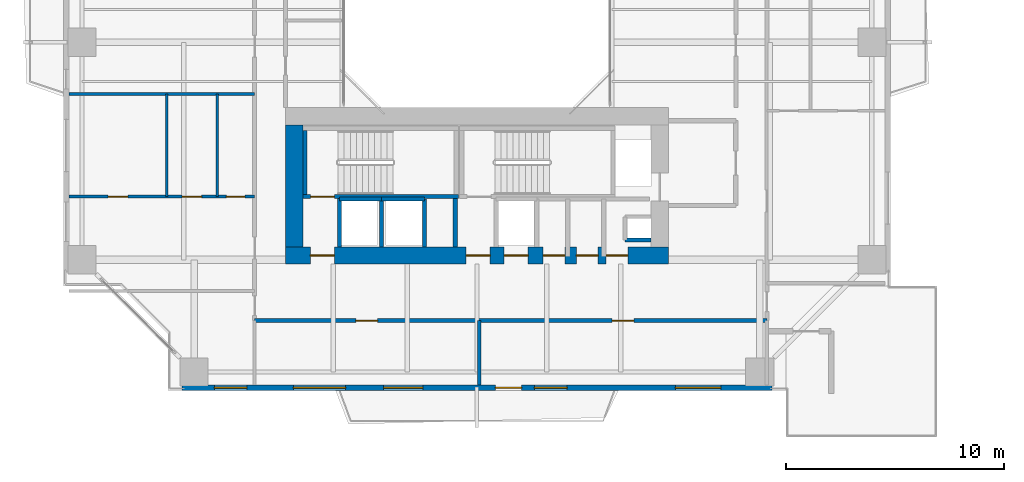
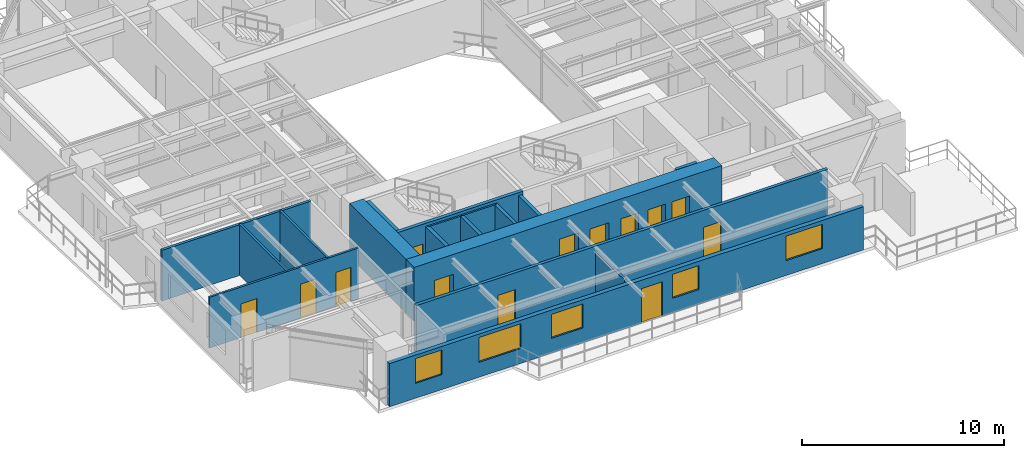
# One storey, part 13 of 23: 18 walls, 13 doors, 5 windows, 18 openings.
"""IFC4 building model written with IfcOpenShell, lengths in metres."""

from ifc_helpers import new_model, si_unit, direction, frame, frame_2d, origin, place, context, subcontext, project, spatial, rectangle, extrude, source, transform, mapped, material, layer, layer_set, type_object, element, fill, save


model = new_model("IFC4")

# Units and contexts
model_context = context("Model", 3, precision=1e-05, world=origin(), true_north=direction((0.0, 1.0)))
body_context = subcontext(model_context, "Body", "Model", "MODEL_VIEW")
ifc_project = project(units=[si_unit("LENGTHUNIT", "METRE"), si_unit("AREAUNIT", "SQUARE_METRE"), si_unit("VOLUMEUNIT", "CUBIC_METRE"), si_unit("PLANEANGLEUNIT", "RADIAN"), si_unit("MASSUNIT", "GRAM", prefix="KILO"), si_unit("THERMODYNAMICTEMPERATUREUNIT", "KELVIN"), si_unit("POWERUNIT", "WATT")], contexts=[model_context])

# Site, building, storey
site_placement = place(None, origin())
site = spatial("IfcSite", under=ifc_project, at=site_placement, CompositionType="ELEMENT")
building_placement = place(site_placement, origin())
building = spatial("IfcBuilding", under=site, at=building_placement, Name="Qiaomeng Ring Towers", CompositionType="ELEMENT")
storey_placement = place(building_placement, frame((0.0, 0.0, 73.0)))
storey = spatial("IfcBuildingStorey", under=building, at=storey_placement, Name="L20", CompositionType="ELEMENT", Elevation=73.0)

# Wall, openings, windows, door
ifc_material_1 = material(Name="Precast concrete C40", Category="concrete")
ifc_layer_1 = layer(ifc_material_1, 0.25, Name="Precast concrete C40")
ifc_layer_set_1 = layer_set([ifc_layer_1], Name="Precast concrete C40")
wall_type_1 = type_object("IfcWallType", Name="ARC-WL-EW1", PredefinedType="STANDARD", material=ifc_layer_set_1)
wall_1_placement = place(storey_placement, frame((5.449951171875, 4.125, 0.0), z_axis=(0.0, 0.0, 1.0), x_axis=(1.0, 0.0, 0.0)))
wall_1 = element("IfcWall", 1, at=wall_1_placement, inside=storey, type_object=wall_type_1, Name="L20 Tower 1 S Exterior Wall", PredefinedType="STANDARD", context=body_context, shape_type="SweptSolid", body=[
    extrude(rectangle(XDim=27.10009765625, YDim=0.25, at=frame_2d((13.550048828125, 0.0))), origin(), (0.0, 0.0, 1.0), 2.610107421875),
])
opening_1_placement = place(wall_1_placement, frame((14.39990234375, 0.0, 0.0)))
opening_1 = element("IfcOpeningElement", 2, at=opening_1_placement, cuts=wall_1, Name="Opening BD1", PredefinedType="OPENING", context=body_context, shape_type="SweptSolid", body=[
    extrude(rectangle(XDim=1.199951171875, YDim=2.10009765625, at=frame_2d((0.60009765625, 1.050048828125))), frame((0.0, 0.135009765625, 0.0), z_axis=(0.0, -1.0, 0.0), x_axis=(1.0, 0.0, 0.0)), (0.0, 0.0, 1.0), 0.27001953125),
])
opening_2_placement = place(wall_1_placement, frame((1.47998046875, 0.0, 0.89990234375)))
opening_2 = element("IfcOpeningElement", 3, at=opening_2_placement, cuts=wall_1, Name="Opening WN2", PredefinedType="OPENING", context=body_context, shape_type="SweptSolid", body=[
    extrude(rectangle(XDim=1.5, YDim=1.5, at=frame_2d((0.75, 0.75))), frame((0.0, 0.135009765625, 0.0), z_axis=(0.0, -1.0, 0.0), x_axis=(1.0, 0.0, 0.0)), (0.0, 0.0, 1.0), 0.27001953125),
])
opening_3_placement = place(wall_1_placement, frame((9.262939453125, 0.0, 0.89990234375)))
opening_3 = element("IfcOpeningElement", 4, at=opening_3_placement, cuts=wall_1, Name="Opening WN1", PredefinedType="OPENING", context=body_context, shape_type="SweptSolid", body=[
    extrude(rectangle(XDim=1.800048828125, YDim=1.449951171875, at=frame_2d((0.89990234375, 0.72509765625))), frame((0.0, 0.135009765625, 0.0), z_axis=(0.0, -1.0, 0.0), x_axis=(1.0, 0.0, 0.0)), (0.0, 0.0, 1.0), 0.27001953125),
])
opening_4_placement = place(wall_1_placement, frame((16.18798828125, 0.0, 0.89990234375)))
opening_4 = element("IfcOpeningElement", 5, at=opening_4_placement, cuts=wall_1, Name="Opening WN2", PredefinedType="OPENING", context=body_context, shape_type="SweptSolid", body=[
    extrude(rectangle(XDim=1.5, YDim=1.449951171875, at=frame_2d((0.75, 0.72509765625))), frame((0.0, 0.135009765625, 0.0), z_axis=(0.0, -1.0, 0.0), x_axis=(1.0, 0.0, 0.0)), (0.0, 0.0, 1.0), 0.27001953125),
])
opening_5_placement = place(wall_1_placement, frame((22.6630859375, 0.0, 0.89990234375)))
opening_5 = element("IfcOpeningElement", 6, at=opening_5_placement, cuts=wall_1, Name="Opening WN4", PredefinedType="OPENING", context=body_context, shape_type="SweptSolid", body=[
    extrude(rectangle(XDim=2.10009765625, YDim=1.47998046875, at=frame_2d((1.050048828125, 0.739990234375))), frame((0.0, 0.135009765625, 0.0), z_axis=(0.0, -1.0, 0.0), x_axis=(1.0, 0.0, 0.0)), (0.0, 0.0, 1.0), 0.27001953125),
])
opening_6_placement = place(wall_1_placement, frame((5.114013671875, 0.0, 0.89990234375)))
opening_6 = element("IfcOpeningElement", 7, at=opening_6_placement, cuts=wall_1, Name="Opening WN6", PredefinedType="OPENING", context=body_context, shape_type="SweptSolid", body=[
    extrude(rectangle(XDim=2.39990234375, YDim=1.5, at=frame_2d((1.199951171875, 0.75))), frame((0.0, 0.135009765625, 0.0), z_axis=(0.0, -1.0, 0.0), x_axis=(1.0, 0.0, 0.0)), (0.0, 0.0, 1.0), 0.27001953125),
])
ifc_material_2 = material(Name="Low-E dark-grey laminated double glazing", Category="glass")
window_type_1 = type_object("IfcWindowType", Name="ARC-WN-2", PartitioningType="DOUBLE_PANEL_VERTICAL", PredefinedType="WINDOW", material=ifc_material_2)
shared_shape_1 = source(origin(), body_context, "Body", "SweptSolid", [
    extrude(rectangle(XDim=1.5, YDim=1.449951171875, at=frame_2d((0.75, 0.72509765625))), frame((0.0, 0.030029296875, 0.0), z_axis=(0.0, -1.0, 0.0), x_axis=(1.0, 0.0, 0.0)), (0.0, 0.0, 1.0), 0.06005859375),
])
window_1_placement = place(opening_4_placement, origin())
window_1 = element("IfcWindow", 8, at=window_1_placement, inside=storey, type_object=window_type_1, Name="L20 Exterior Window WN2", OverallHeight=1.449951171875, OverallWidth=1.5, PartitioningType="DOUBLE_PANEL_VERTICAL", PredefinedType="WINDOW", context=body_context, shape_type="MappedRepresentation", body=[
    mapped(shared_shape_1, transform((0.0, 0.0, 0.0), x_axis=(1.0, 0.0, 0.0), y_axis=(0.0, 1.0, 0.0), z_axis=(0.0, 0.0, 1.0), scale=1.0)),
])
fill(opening_4, window_1)
window_type_2 = type_object("IfcWindowType", Name="ARC-WN-4", PartitioningType="TRIPLE_PANEL_VERTICAL", PredefinedType="WINDOW", material=ifc_material_2)
shared_shape_2 = source(origin(), body_context, "Body", "SweptSolid", [
    extrude(rectangle(XDim=2.10009765625, YDim=1.47998046875, at=frame_2d((1.050048828125, 0.739990234375))), frame((0.0, 0.030029296875, 0.0), z_axis=(0.0, -1.0, 0.0), x_axis=(1.0, 0.0, 0.0)), (0.0, 0.0, 1.0), 0.06005859375),
])
window_2_placement = place(opening_5_placement, origin())
window_2 = element("IfcWindow", 9, at=window_2_placement, inside=storey, type_object=window_type_2, Name="L20 Exterior Window WN4", OverallHeight=1.47998046875, OverallWidth=2.10009765625, PartitioningType="TRIPLE_PANEL_VERTICAL", PredefinedType="WINDOW", context=body_context, shape_type="MappedRepresentation", body=[
    mapped(shared_shape_2, transform((0.0, 0.0, 0.0), x_axis=(1.0, 0.0, 0.0), y_axis=(0.0, 1.0, 0.0), z_axis=(0.0, 0.0, 1.0), scale=1.0)),
])
fill(opening_5, window_2)
window_type_3 = type_object("IfcWindowType", Name="ARC-WN-1", PartitioningType="DOUBLE_PANEL_VERTICAL", PredefinedType="WINDOW", material=ifc_material_2)
shared_shape_3 = source(origin(), body_context, "Body", "SweptSolid", [
    extrude(rectangle(XDim=1.800048828125, YDim=1.449951171875, at=frame_2d((0.89990234375, 0.72509765625))), frame((0.0, 0.030029296875, 0.0), z_axis=(0.0, -1.0, 0.0), x_axis=(1.0, 0.0, 0.0)), (0.0, 0.0, 1.0), 0.06005859375),
])
window_3_placement = place(opening_3_placement, origin())
window_3 = element("IfcWindow", 10, at=window_3_placement, inside=storey, type_object=window_type_3, Name="L20 Exterior Window WN1", OverallHeight=1.449951171875, OverallWidth=1.800048828125, PartitioningType="DOUBLE_PANEL_VERTICAL", PredefinedType="WINDOW", context=body_context, shape_type="MappedRepresentation", body=[
    mapped(shared_shape_3, transform((0.0, 0.0, 0.0), x_axis=(1.0, 0.0, 0.0), y_axis=(0.0, 1.0, 0.0), z_axis=(0.0, 0.0, 1.0), scale=1.0)),
])
fill(opening_3, window_3)
door_type_1 = type_object("IfcDoorType", Name="ARC-DR-BD1", OperationType="NOTDEFINED", PredefinedType="DOOR", material=ifc_material_2)
shared_shape_4 = source(origin(), body_context, "Body", "SweptSolid", [
    extrude(rectangle(XDim=1.199951171875, YDim=2.10009765625, at=frame_2d((0.60009765625, 1.050048828125))), frame((0.0, 0.02490234375, 0.0), z_axis=(0.0, -1.0, 0.0), x_axis=(1.0, 0.0, 0.0)), (0.0, 0.0, 1.0), 0.050048828125),
])
door_1_placement = place(opening_1_placement, frame((1.199951171875, 0.0, 0.0), z_axis=(0.0, 0.0, 1.0), x_axis=(-1.0, 0.0, 0.0)))
door_1 = element("IfcDoor", 11, at=door_1_placement, inside=storey, type_object=door_type_1, Name="L20 S Balcony Glazed Door", OperationType="SINGLE_SWING_LEFT", OverallHeight=2.10009765625, OverallWidth=1.199951171875, PredefinedType="DOOR", context=body_context, shape_type="MappedRepresentation", body=[
    mapped(shared_shape_4, transform((0.0, 0.0, 0.0), x_axis=(1.0, 0.0, 0.0), y_axis=(0.0, 1.0, 0.0), z_axis=(0.0, 0.0, 1.0), scale=1.0)),
])
fill(opening_1, door_1)
shared_shape_5 = source(origin(), body_context, "Body", "SweptSolid", [
    extrude(rectangle(XDim=1.5, YDim=1.5, at=frame_2d((0.75, 0.75))), frame((0.0, 0.030029296875, 0.0), z_axis=(0.0, -1.0, 0.0), x_axis=(1.0, 0.0, 0.0)), (0.0, 0.0, 1.0), 0.06005859375),
])
window_4_placement = place(opening_2_placement, origin())
window_4 = element("IfcWindow", 12, at=window_4_placement, inside=storey, type_object=window_type_1, Name="L20 Exterior Window WN6", OverallHeight=1.5, OverallWidth=1.5, PartitioningType="TRIPLE_PANEL_VERTICAL", PredefinedType="WINDOW", context=body_context, shape_type="MappedRepresentation", body=[
    mapped(shared_shape_5, transform((0.0, 0.0, 0.0), x_axis=(1.0, 0.0, 0.0), y_axis=(0.0, 1.0, 0.0), z_axis=(0.0, 0.0, 1.0), scale=1.0)),
])
fill(opening_2, window_4)
window_type_4 = type_object("IfcWindowType", Name="ARC-WN-6", PartitioningType="TRIPLE_PANEL_VERTICAL", PredefinedType="WINDOW", material=ifc_material_2)
shared_shape_6 = source(origin(), body_context, "Body", "SweptSolid", [
    extrude(rectangle(XDim=2.39990234375, YDim=1.5, at=frame_2d((1.199951171875, 0.75))), frame((0.0, 0.030029296875, 0.0), z_axis=(0.0, -1.0, 0.0), x_axis=(1.0, 0.0, 0.0)), (0.0, 0.0, 1.0), 0.06005859375),
])
window_5_placement = place(opening_6_placement, origin())
window_5 = element("IfcWindow", 13, at=window_5_placement, inside=storey, type_object=window_type_4, Name="L20 Exterior Window WN6", OverallHeight=1.5, OverallWidth=2.39990234375, PartitioningType="TRIPLE_PANEL_VERTICAL", PredefinedType="WINDOW", context=body_context, shape_type="MappedRepresentation", body=[
    mapped(shared_shape_6, transform((0.0, 0.0, 0.0), x_axis=(1.0, 0.0, 0.0), y_axis=(0.0, 1.0, 0.0), z_axis=(0.0, 0.0, 1.0), scale=1.0)),
])
fill(opening_6, window_5)

# Walls
ifc_material_3 = material(Name="Autoclaved aerated concrete block", Category="concrete")
ifc_layer_2 = layer(ifc_material_3, 0.199951171875, Name="Autoclaved aerated concrete block")
ifc_layer_set_2 = layer_set([ifc_layer_2], Name="Autoclaved aerated concrete block")
wall_type_2 = type_object("IfcWallType", Name="ARC-WL-PW1", PredefinedType="PARTITIONING", material=ifc_layer_set_2)
for number, where, z_axis, x_axis, name in (
    (14, (12.679931640625, 10.60009765625, 0.0), (0.0, 0.0, 1.0), (0.0, 1.0, 0.0), "L20 Interior Wall PW1"),
    (15, (18.0, 10.60009765625, 0.0), (0.0, 0.0, 1.0), (0.0, 1.0, 0.0), "L20 Interior Wall PW1"),
):
    element("IfcWall", number, at=place(storey_placement, frame(where, z_axis=z_axis, x_axis=x_axis)), inside=storey, type_object=wall_type_2, Name=name, PredefinedType="PARTITIONING", context=body_context, shape_type="SweptSolid", body=[
        extrude(rectangle(XDim=2.2099609375, YDim=0.199951171875, at=frame_2d((1.10498046875, 0.0))), origin(), (0.0, 0.0, 1.0), 3.070068359375),
    ])

# Wall, openings, doors
ifc_layer_3 = layer(ifc_material_3, 0.179931640625, Name="Autoclaved aerated concrete block")
ifc_layer_set_3 = layer_set([ifc_layer_3], Name="Autoclaved aerated concrete block")
wall_type_3 = type_object("IfcWallType", Name="ARC-WL-PW2", PredefinedType="PARTITIONING", material=ifc_layer_set_3)
wall_2_placement = place(storey_placement, frame((8.780029296875, 7.2099609375, 0.0), z_axis=(0.0, 0.0, 1.0), x_axis=(1.0, 0.0, 0.0)))
wall_2 = element("IfcWall", 16, at=wall_2_placement, inside=storey, type_object=wall_type_3, Name="L20 Interior Wall PW2", PredefinedType="PARTITIONING", context=body_context, shape_type="SweptSolid", body=[
    extrude(rectangle(XDim=23.5400390625, YDim=0.179931640625, at=frame_2d((11.77001953125, 0.0))), origin(), (0.0, 0.0, 1.0), 3.070068359375),
])
opening_7_placement = place(wall_2_placement, frame((4.659912109375, 0.0, 0.0)))
opening_7 = element("IfcOpeningElement", 17, at=opening_7_placement, cuts=wall_2, Name="Opening FD4", PredefinedType="OPENING", context=body_context, shape_type="SweptSolid", body=[
    extrude(rectangle(XDim=1.0, YDim=2.050048828125, at=frame_2d((0.5, 1.02490234375))), frame((0.0, 0.099853515625, 0.0), z_axis=(0.0, -1.0, 0.0), x_axis=(1.0, 0.0, 0.0)), (0.0, 0.0, 1.0), 0.199951171875),
])
opening_8_placement = place(wall_2_placement, frame((16.429931640625, 0.0, 0.0)))
opening_8 = element("IfcOpeningElement", 18, at=opening_8_placement, cuts=wall_2, Name="Opening FD4", PredefinedType="OPENING", context=body_context, shape_type="SweptSolid", body=[
    extrude(rectangle(XDim=1.0, YDim=2.050048828125, at=frame_2d((0.5, 1.02490234375))), frame((0.0, 0.099853515625, 0.0), z_axis=(0.0, -1.0, 0.0), x_axis=(1.0, 0.0, 0.0)), (0.0, 0.0, 1.0), 0.199951171875),
])
ifc_material_4 = material(Name="Engineered fire-rated oak timber", Category="wood")
door_type_2 = type_object("IfcDoorType", Name="ARC-DR-FD4", OperationType="NOTDEFINED", PredefinedType="DOOR", material=ifc_material_4)
shared_shape_7 = source(origin(), body_context, "Body", "SweptSolid", [
    extrude(rectangle(XDim=1.0, YDim=2.050048828125, at=frame_2d((0.5, 1.02490234375))), frame((0.0, 0.02490234375, 0.0), z_axis=(0.0, -1.0, 0.0), x_axis=(1.0, 0.0, 0.0)), (0.0, 0.0, 1.0), 0.050048828125),
])
door_2_placement = place(opening_7_placement, origin())
door_2 = element("IfcDoor", 19, at=door_2_placement, inside=storey, type_object=door_type_2, Name="L20 Door FD4", OperationType="SINGLE_SWING_LEFT", OverallHeight=2.050048828125, OverallWidth=1.0, PredefinedType="DOOR", context=body_context, shape_type="MappedRepresentation", body=[
    mapped(shared_shape_7, transform((0.0, 0.0, 0.0), x_axis=(1.0, 0.0, 0.0), y_axis=(0.0, 1.0, 0.0), z_axis=(0.0, 0.0, 1.0), scale=1.0)),
])
fill(opening_7, door_2)
door_3_placement = place(opening_8_placement, origin())
door_3 = element("IfcDoor", 20, at=door_3_placement, inside=storey, type_object=door_type_2, Name="L20 Door FD4", OperationType="SINGLE_SWING_RIGHT", OverallHeight=2.050048828125, OverallWidth=1.0, PredefinedType="DOOR", context=body_context, shape_type="MappedRepresentation", body=[
    mapped(shared_shape_7, transform((0.0, 0.0, 0.0), x_axis=(1.0, 0.0, 0.0), y_axis=(0.0, 1.0, 0.0), z_axis=(0.0, 0.0, 1.0), scale=1.0)),
])
fill(opening_8, door_3)

# Walls
ifc_material_5 = material(Name="Gypsum fireboard steel-stud partition", Category="steel")
ifc_layer_4 = layer(ifc_material_5, 0.14990234375, Name="Gypsum fireboard steel-stud partition")
ifc_layer_set_4 = layer_set([ifc_layer_4], Name="Gypsum fireboard steel-stud partition")
wall_type_4 = type_object("IfcWallType", Name="ARC-WL-PW3", PredefinedType="PARTITIONING", material=ifc_layer_set_4)
wall_3_placement = place(storey_placement, frame((19.10009765625, 4.25, 0.0), z_axis=(0.0, 0.0, 1.0), x_axis=(0.0, 1.0, 0.0)))
element("IfcWall", 21, at=wall_3_placement, inside=storey, type_object=wall_type_4, Name="L20 Interior Wall PW3", PredefinedType="PARTITIONING", context=body_context, shape_type="SweptSolid", body=[
    extrude(rectangle(XDim=2.9599609375, YDim=0.14990234375, at=frame_2d((1.47998046875, 0.0))), origin(), (0.0, 0.0, 1.0), 2.77099609375),
])
wall_4_placement = place(storey_placement, frame((0.25, 17.6201171875, 0.0), z_axis=(0.0, 0.0, 1.0), x_axis=(1.0, 0.0, 0.0)))
element("IfcWall", 22, at=wall_4_placement, inside=storey, type_object=wall_type_4, Name="L20 Interior Wall PW3", PredefinedType="PARTITIONING", context=body_context, shape_type="SweptSolid", body=[
    extrude(rectangle(XDim=8.530029296875, YDim=0.14990234375, at=frame_2d((4.26513671875, 0.0))), origin(), (0.0, 0.0, 1.0), 3.070068359375),
])

# Wall, openings, doors
ifc_material_6 = material(Name="Moisture-resistant gypsum steel-stud partition", Category="steel")
ifc_layer_5 = layer(ifc_material_6, 0.1201171875, Name="Moisture-resistant gypsum steel-stud partition")
ifc_layer_set_5 = layer_set([ifc_layer_5], Name="Moisture-resistant gypsum steel-stud partition")
wall_type_5 = type_object("IfcWallType", Name="ARC-WL-PW4", PredefinedType="PLUMBINGWALL", material=ifc_layer_set_5)
wall_5_placement = place(storey_placement, frame((0.25, 12.909912109375, 0.0), z_axis=(0.0, 0.0, 1.0), x_axis=(1.0, 0.0, 0.0)))
wall_5 = element("IfcWall", 23, at=wall_5_placement, inside=storey, type_object=wall_type_5, Name="L20 Interior Wall PW4", PredefinedType="PLUMBINGWALL", context=body_context, shape_type="SweptSolid", body=[
    extrude(rectangle(XDim=8.530029296875, YDim=0.1201171875, at=frame_2d((4.26513671875, 0.0))), origin(), (0.0, 0.0, 1.0), 3.070068359375),
])
opening_9_placement = place(wall_5_placement, frame((1.804931640625, 0.0, 0.0)))
opening_9 = element("IfcOpeningElement", 24, at=opening_9_placement, cuts=wall_5, Name="Opening ID1", PredefinedType="OPENING", context=body_context, shape_type="SweptSolid", body=[
    extrude(rectangle(XDim=0.89990234375, YDim=2.050048828125, at=frame_2d((0.449951171875, 1.02490234375))), frame((0.0, 0.070068359375, 0.0), z_axis=(0.0, -1.0, 0.0), x_axis=(1.0, 0.0, 0.0)), (0.0, 0.0, 1.0), 0.14013671875),
])
opening_10_placement = place(wall_5_placement, frame((5.199951171875, 0.0, 0.0)))
opening_10 = element("IfcOpeningElement", 25, at=opening_10_placement, cuts=wall_5, Name="Opening ID1", PredefinedType="OPENING", context=body_context, shape_type="SweptSolid", body=[
    extrude(rectangle(XDim=0.89990234375, YDim=2.050048828125, at=frame_2d((0.449951171875, 1.02490234375))), frame((0.0, 0.070068359375, 0.0), z_axis=(0.0, -1.0, 0.0), x_axis=(1.0, 0.0, 0.0)), (0.0, 0.0, 1.0), 0.14013671875),
])
opening_11_placement = place(wall_5_placement, frame((7.235107421875, 0.0, 0.0)))
opening_11 = element("IfcOpeningElement", 26, at=opening_11_placement, cuts=wall_5, Name="Opening ID2", PredefinedType="OPENING", context=body_context, shape_type="SweptSolid", body=[
    extrude(rectangle(XDim=0.85009765625, YDim=2.050048828125, at=frame_2d((0.425048828125, 1.02490234375))), frame((0.0, 0.070068359375, 0.0), z_axis=(0.0, -1.0, 0.0), x_axis=(1.0, 0.0, 0.0)), (0.0, 0.0, 1.0), 0.14013671875),
])
ifc_material_7 = material(Name="Moisture-resistant engineered timber", Category="wood")
door_type_3 = type_object("IfcDoorType", Name="ARC-DR-ID2", OperationType="NOTDEFINED", PredefinedType="DOOR", material=ifc_material_7)
shared_shape_8 = source(origin(), body_context, "Body", "SweptSolid", [
    extrude(rectangle(XDim=0.85009765625, YDim=2.050048828125, at=frame_2d((0.425048828125, 1.02490234375))), frame((0.0, 0.02490234375, 0.0), z_axis=(0.0, -1.0, 0.0), x_axis=(1.0, 0.0, 0.0)), (0.0, 0.0, 1.0), 0.050048828125),
])
door_4_placement = place(opening_11_placement, origin())
door_4 = element("IfcDoor", 27, at=door_4_placement, inside=storey, type_object=door_type_3, Name="L20 Door ID2", OperationType="SINGLE_SWING_LEFT", OverallHeight=2.050048828125, OverallWidth=0.85009765625, PredefinedType="DOOR", context=body_context, shape_type="MappedRepresentation", body=[
    mapped(shared_shape_8, transform((0.0, 0.0, 0.0), x_axis=(1.0, 0.0, 0.0), y_axis=(0.0, 1.0, 0.0), z_axis=(0.0, 0.0, 1.0), scale=1.0)),
])
fill(opening_11, door_4)
ifc_material_8 = material(Name="Engineered oak timber", Category="wood")
door_type_4 = type_object("IfcDoorType", Name="ARC-DR-ID1", OperationType="NOTDEFINED", PredefinedType="DOOR", material=ifc_material_8)
shared_shape_9 = source(origin(), body_context, "Body", "SweptSolid", [
    extrude(rectangle(XDim=0.89990234375, YDim=2.050048828125, at=frame_2d((0.449951171875, 1.02490234375))), frame((0.0, 0.02490234375, 0.0), z_axis=(0.0, -1.0, 0.0), x_axis=(1.0, 0.0, 0.0)), (0.0, 0.0, 1.0), 0.050048828125),
])
door_5_placement = place(opening_9_placement, origin())
door_5 = element("IfcDoor", 28, at=door_5_placement, inside=storey, type_object=door_type_4, Name="L20 Door ID1", OperationType="SINGLE_SWING_LEFT", OverallHeight=2.050048828125, OverallWidth=0.89990234375, PredefinedType="DOOR", context=body_context, shape_type="MappedRepresentation", body=[
    mapped(shared_shape_9, transform((0.0, 0.0, 0.0), x_axis=(1.0, 0.0, 0.0), y_axis=(0.0, 1.0, 0.0), z_axis=(0.0, 0.0, 1.0), scale=1.0)),
])
fill(opening_9, door_5)
door_6_placement = place(opening_10_placement, origin())
door_6 = element("IfcDoor", 29, at=door_6_placement, inside=storey, type_object=door_type_4, Name="L20 Door ID1", OperationType="SINGLE_SWING_RIGHT", OverallHeight=2.050048828125, OverallWidth=0.89990234375, PredefinedType="DOOR", context=body_context, shape_type="MappedRepresentation", body=[
    mapped(shared_shape_9, transform((0.0, 0.0, 0.0), x_axis=(1.0, 0.0, 0.0), y_axis=(0.0, 1.0, 0.0), z_axis=(0.0, 0.0, 1.0), scale=1.0)),
])
fill(opening_10, door_6)

# Walls
for number, where, z_axis, x_axis, name in (
    (30, (4.739990234375, 12.909912109375, 0.0), (0.0, 0.0, 1.0), (0.0, 1.0, 0.0), "L20 Interior Wall PW4"),
    (31, (7.06005859375, 12.909912109375, 0.0), (0.0, 0.0, 1.0), (0.0, 1.0, 0.0), "L20 Interior Wall PW4"),
):
    element("IfcWall", number, at=place(storey_placement, frame(where, z_axis=z_axis, x_axis=x_axis)), inside=storey, type_object=wall_type_5, Name=name, PredefinedType="PLUMBINGWALL", context=body_context, shape_type="SweptSolid", body=[
        extrude(rectangle(XDim=4.710205078125, YDim=0.1201171875, at=frame_2d((2.35498046875, 0.0))), origin(), (0.0, 0.0, 1.0), 3.070068359375),
    ])
ifc_material_9 = material(Name="Concrete C40", Category="concrete")
ifc_layer_6 = layer(ifc_material_9, 0.199951171875, Name="Concrete C40")
ifc_layer_set_6 = layer_set([ifc_layer_6], Name="Concrete C40")
wall_type_6 = type_object("IfcWallType", Name="STR-WL-STSHAFT", PredefinedType="SHEAR", material=ifc_layer_set_6)
wall_6_placement = place(storey_placement, frame((12.679931640625, 12.800048828125, 0.0), z_axis=(0.0, 0.0, 1.0), x_axis=(1.0, 0.0, 0.0)))
element("IfcWall", 32, at=wall_6_placement, inside=storey, type_object=wall_type_6, Name="L20 Lift LP6 Shaft Back Wall", PredefinedType="SHEAR", context=body_context, shape_type="SweptSolid", body=[
    extrude(rectangle(XDim=1.940185546875, YDim=0.179931640625, at=frame_2d((0.97021484375, 0.0))), origin(), (0.0, 0.0, 1.0), 3.070068359375),
])
wall_7_placement = place(storey_placement, frame((14.6201171875, 10.60009765625, 0.0), z_axis=(0.0, 0.0, 1.0), x_axis=(0.0, 1.0, 0.0)))
element("IfcWall", 33, at=wall_7_placement, inside=storey, type_object=wall_type_6, Name="L20 Lift LP6-LP4 Shaft Divider Wall", PredefinedType="SHEAR", context=body_context, shape_type="SweptSolid", body=[
    extrude(rectangle(XDim=2.199951171875, YDim=0.179931640625, at=frame_2d((1.10009765625, 0.0))), origin(), (0.0, 0.0, 1.0), 3.070068359375),
])
wall_8_placement = place(storey_placement, frame((25.800048828125, 10.919921875, 0.0), z_axis=(0.0, 0.0, 1.0), x_axis=(1.0, 0.0, 0.0)))
element("IfcWall", 34, at=wall_8_placement, inside=storey, type_object=wall_type_6, Name="L20 Riser RSR1 South Shaft Wall S", PredefinedType="SHEAR", context=body_context, shape_type="SweptSolid", body=[
    extrude(rectangle(XDim=1.199951171875, YDim=0.179931640625, at=frame_2d((0.60009765625, 0.0))), origin(), (0.0, 0.0, 1.0), 3.070068359375),
])
wall_9_placement = place(storey_placement, frame((14.6201171875, 12.800048828125, 0.0), z_axis=(0.0, 0.0, 1.0), x_axis=(1.0, 0.0, 0.0)))
element("IfcWall", 35, at=wall_9_placement, inside=storey, type_object=wall_type_6, Name="L20 Lift LP4 Shaft Back Wall", PredefinedType="SHEAR", context=body_context, shape_type="SweptSolid", body=[
    extrude(rectangle(XDim=1.9599609375, YDim=0.179931640625, at=frame_2d((0.97998046875, 0.0))), origin(), (0.0, 0.0, 1.0), 3.070068359375),
])
wall_10_placement = place(storey_placement, frame((16.580078125, 10.60009765625, 0.0), z_axis=(0.0, 0.0, 1.0), x_axis=(0.0, 1.0, 0.0)))
element("IfcWall", 36, at=wall_10_placement, inside=storey, type_object=wall_type_6, Name="L20 Lift LP4 East Shaft Wall", PredefinedType="SHEAR", context=body_context, shape_type="SweptSolid", body=[
    extrude(rectangle(XDim=2.199951171875, YDim=0.179931640625, at=frame_2d((1.10009765625, 0.0))), origin(), (0.0, 0.0, 1.0), 3.070068359375),
])

# Wall, opening, door
wall_11_placement = place(storey_placement, frame((11.0, 12.909912109375, 0.0), z_axis=(0.0, 0.0, 1.0), x_axis=(1.0, 0.0, 0.0)))
wall_11 = element("IfcWall", 37, at=wall_11_placement, inside=storey, type_object=wall_type_6, Name="L20 Stair ST3 South Shaft Shear Wall", PredefinedType="SHEAR", context=body_context, shape_type="SweptSolid", body=[
    extrude(rectangle(XDim=7.14990234375, YDim=0.199951171875, at=frame_2d((3.574951171875, 0.0))), origin(), (0.0, 0.0, 1.0), 3.25),
])
opening_12_placement = place(wall_11_placement, frame((0.35009765625, 0.0, 0.0)))
opening_12 = element("IfcOpeningElement", 38, at=opening_12_placement, cuts=wall_11, Name="Opening FD3", PredefinedType="OPENING", context=body_context, shape_type="SweptSolid", body=[
    extrude(rectangle(XDim=1.10009765625, YDim=2.050048828125, at=frame_2d((0.550048828125, 1.02490234375))), frame((0.0, 0.10986328125, 0.0), z_axis=(0.0, -1.0, 0.0), x_axis=(1.0, 0.0, 0.0)), (0.0, 0.0, 1.0), 0.219970703125),
])
ifc_material_10 = material(Name="Galvanised steel", Category="steel")
door_type_5 = type_object("IfcDoorType", Name="ARC-DR-FD3", OperationType="NOTDEFINED", PredefinedType="DOOR", material=ifc_material_10)
shared_shape_10 = source(origin(), body_context, "Body", "SweptSolid", [
    extrude(rectangle(XDim=1.10009765625, YDim=2.050048828125, at=frame_2d((0.550048828125, 1.02490234375))), frame((0.0, 0.02490234375, 0.0), z_axis=(0.0, -1.0, 0.0), x_axis=(1.0, 0.0, 0.0)), (0.0, 0.0, 1.0), 0.050048828125),
])
door_7_placement = place(opening_12_placement, frame((1.10009765625, 0.0, 0.0), z_axis=(0.0, 0.0, 1.0), x_axis=(-1.0, 0.0, 0.0)))
door_7 = element("IfcDoor", 39, at=door_7_placement, inside=storey, type_object=door_type_5, Name="L20 Stair ST3 Exit Door", OperationType="SINGLE_SWING_RIGHT", OverallHeight=2.050048828125, OverallWidth=1.10009765625, PredefinedType="DOOR", context=body_context, shape_type="MappedRepresentation", body=[
    mapped(shared_shape_10, transform((0.0, 0.0, 0.0), x_axis=(1.0, 0.0, 0.0), y_axis=(0.0, 1.0, 0.0), z_axis=(0.0, 0.0, 1.0), scale=1.0)),
])
fill(opening_12, door_7)

# Wall
wall_12_placement = place(storey_placement, frame((11.10009765625, 13.010009765625, 0.0), z_axis=(0.0, 0.0, 1.0), x_axis=(0.0, 1.0, 0.0)))
element("IfcWall", 40, at=wall_12_placement, inside=storey, type_object=wall_type_6, Name="L20 Stair ST3 West Shaft Shear Wall", PredefinedType="SHEAR", context=body_context, shape_type="SweptSolid", body=[
    extrude(rectangle(XDim=2.93994140625, YDim=0.199951171875, at=frame_2d((1.469970703125, 0.0))), origin(), (0.0, 0.0, 1.0), 3.25),
])

# Wall, openings, doors
ifc_material_11 = material(Name="Concrete C60", Category="concrete")
ifc_layer_7 = layer(ifc_material_11, 0.800048828125, Name="Concrete C60")
ifc_layer_set_7 = layer_set([ifc_layer_7], Name="Concrete C60")
wall_type_7 = type_object("IfcWallType", Name="STR-WL-SW1", PredefinedType="SHEAR", material=ifc_layer_set_7)
wall_13_placement = place(storey_placement, frame((10.199951171875, 10.199951171875, 0.0), z_axis=(0.0, 0.0, 1.0), x_axis=(1.0, 0.0, 0.0)))
wall_13 = element("IfcWall", 41, at=wall_13_placement, inside=storey, type_object=wall_type_7, Name="L20 T1SC south core shear wall", PredefinedType="SHEAR", context=body_context, shape_type="SweptSolid", body=[
    extrude(rectangle(XDim=17.60009765625, YDim=0.800048828125, at=frame_2d((8.800048828125, 0.0))), origin(), (0.0, 0.0, 1.0), 3.25),
])
opening_13_placement = place(wall_13_placement, frame((1.14990234375, 0.0, 0.0)))
opening_13 = element("IfcOpeningElement", 42, at=opening_13_placement, cuts=wall_13, Name="Opening FD3", PredefinedType="OPENING", context=body_context, shape_type="SweptSolid", body=[
    extrude(rectangle(XDim=1.10009765625, YDim=2.050048828125, at=frame_2d((0.550048828125, 1.02490234375))), frame((0.0, 0.409912109375, 0.0), z_axis=(0.0, -1.0, 0.0), x_axis=(1.0, 0.0, 0.0)), (0.0, 0.0, 1.0), 0.820068359375),
])
opening_14_placement = place(wall_13_placement, frame((8.300048828125, 0.0, 0.0)))
opening_14 = element("IfcOpeningElement", 43, at=opening_14_placement, cuts=wall_13, Name="Opening FD3", PredefinedType="OPENING", context=body_context, shape_type="SweptSolid", body=[
    extrude(rectangle(XDim=1.10009765625, YDim=2.050048828125, at=frame_2d((0.550048828125, 1.02490234375))), frame((0.0, 0.409912109375, 0.0), z_axis=(0.0, -1.0, 0.0), x_axis=(1.0, 0.0, 0.0)), (0.0, 0.0, 1.0), 0.820068359375),
])
opening_15_placement = place(wall_13_placement, frame((10.050048828125, 0.0, 0.0)))
opening_15 = element("IfcOpeningElement", 44, at=opening_15_placement, cuts=wall_13, Name="Opening LD1", PredefinedType="OPENING", context=body_context, shape_type="SweptSolid", body=[
    extrude(rectangle(XDim=1.10009765625, YDim=2.050048828125, at=frame_2d((0.550048828125, 1.02490234375))), frame((0.0, 0.409912109375, 0.0), z_axis=(0.0, -1.0, 0.0), x_axis=(1.0, 0.0, 0.0)), (0.0, 0.0, 1.0), 0.820068359375),
])
opening_16_placement = place(wall_13_placement, frame((14.739990234375, 0.0, 0.0)))
opening_16 = element("IfcOpeningElement", 45, at=opening_16_placement, cuts=wall_13, Name="Opening FD1", PredefinedType="OPENING", context=body_context, shape_type="SweptSolid", body=[
    extrude(rectangle(XDim=1.0, YDim=2.050048828125, at=frame_2d((0.5, 1.02490234375))), frame((0.0, 0.409912109375, 0.0), z_axis=(0.0, -1.0, 0.0), x_axis=(1.0, 0.0, 0.0)), (0.0, 0.0, 1.0), 0.820068359375),
])
opening_17_placement = place(wall_13_placement, frame((11.8349609375, 0.0, 0.0)))
opening_17 = element("IfcOpeningElement", 46, at=opening_17_placement, cuts=wall_13, Name="Opening FD1", PredefinedType="OPENING", context=body_context, shape_type="SweptSolid", body=[
    extrude(rectangle(XDim=1.0, YDim=2.050048828125, at=frame_2d((0.5, 1.02490234375))), frame((0.0, 0.409912109375, 0.0), z_axis=(0.0, -1.0, 0.0), x_axis=(1.0, 0.0, 0.0)), (0.0, 0.0, 1.0), 0.820068359375),
])
opening_18_placement = place(wall_13_placement, frame((13.3701171875, 0.0, 0.0)))
opening_18 = element("IfcOpeningElement", 47, at=opening_18_placement, cuts=wall_13, Name="Opening FD1", PredefinedType="OPENING", context=body_context, shape_type="SweptSolid", body=[
    extrude(rectangle(XDim=1.0, YDim=2.050048828125, at=frame_2d((0.5, 1.02490234375))), frame((0.0, 0.409912109375, 0.0), z_axis=(0.0, -1.0, 0.0), x_axis=(1.0, 0.0, 0.0)), (0.0, 0.0, 1.0), 0.820068359375),
])
door_8_placement = place(opening_13_placement, origin())
door_8 = element("IfcDoor", 48, at=door_8_placement, inside=storey, type_object=door_type_5, Name="L20 Stair ST3 Lobby Door", OperationType="SINGLE_SWING_LEFT", OverallHeight=2.050048828125, OverallWidth=1.10009765625, PredefinedType="DOOR", context=body_context, shape_type="MappedRepresentation", body=[
    mapped(shared_shape_10, transform((0.0, 0.0, 0.0), x_axis=(1.0, 0.0, 0.0), y_axis=(0.0, 1.0, 0.0), z_axis=(0.0, 0.0, 1.0), scale=1.0)),
])
fill(opening_13, door_8)
door_9_placement = place(opening_14_placement, origin())
door_9 = element("IfcDoor", 49, at=door_9_placement, inside=storey, type_object=door_type_5, Name="L20 Stair ST4 Lobby Door", OperationType="SINGLE_SWING_LEFT", OverallHeight=2.050048828125, OverallWidth=1.10009765625, PredefinedType="DOOR", context=body_context, shape_type="MappedRepresentation", body=[
    mapped(shared_shape_10, transform((0.0, 0.0, 0.0), x_axis=(1.0, 0.0, 0.0), y_axis=(0.0, 1.0, 0.0), z_axis=(0.0, 0.0, 1.0), scale=1.0)),
])
fill(opening_14, door_9)
ifc_material_12 = material(Name="Stainless steel 316", Category="steel")
door_type_6 = type_object("IfcDoorType", Name="ARC-DR-LD1", OperationType="NOTDEFINED", PredefinedType="DOOR", material=ifc_material_12)
door_10_placement = place(opening_15_placement, origin())
door_10 = element("IfcDoor", 50, at=door_10_placement, inside=storey, type_object=door_type_6, Name="L20 Low-Zone Lift LP2 Landing Door", OperationType="SLIDING_TO_RIGHT", OverallHeight=2.050048828125, OverallWidth=1.10009765625, PredefinedType="DOOR", context=body_context, shape_type="MappedRepresentation", body=[
    mapped(shared_shape_10, transform((0.0, 0.0, 0.0), x_axis=(1.0, 0.0, 0.0), y_axis=(0.0, 1.0, 0.0), z_axis=(0.0, 0.0, 1.0), scale=1.0)),
])
fill(opening_15, door_10)
door_type_7 = type_object("IfcDoorType", Name="ARC-DR-FD1", OperationType="NOTDEFINED", PredefinedType="DOOR", material=ifc_material_10)
door_11_placement = place(opening_16_placement, origin())
door_11 = element("IfcDoor", 51, at=door_11_placement, inside=storey, type_object=door_type_7, Name="L20 South Electrical Riser Door", OperationType="SINGLE_SWING_RIGHT", OverallHeight=2.050048828125, OverallWidth=1.0, PredefinedType="DOOR", context=body_context, shape_type="MappedRepresentation", body=[
    mapped(shared_shape_7, transform((0.0, 0.0, 0.0), x_axis=(1.0, 0.0, 0.0), y_axis=(0.0, 1.0, 0.0), z_axis=(0.0, 0.0, 1.0), scale=1.0)),
])
fill(opening_16, door_11)
door_12_placement = place(opening_17_placement, origin())
door_12 = element("IfcDoor", 52, at=door_12_placement, inside=storey, type_object=door_type_7, Name="L20 South Cleaners Cupboard Door", OperationType="SINGLE_SWING_LEFT", OverallHeight=2.050048828125, OverallWidth=1.0, PredefinedType="DOOR", context=body_context, shape_type="MappedRepresentation", body=[
    mapped(shared_shape_7, transform((0.0, 0.0, 0.0), x_axis=(1.0, 0.0, 0.0), y_axis=(0.0, 1.0, 0.0), z_axis=(0.0, 0.0, 1.0), scale=1.0)),
])
fill(opening_17, door_12)
door_13_placement = place(opening_18_placement, origin())
door_13 = element("IfcDoor", 53, at=door_13_placement, inside=storey, type_object=door_type_7, Name="L20 South Tea Pantry Door", OperationType="SINGLE_SWING_RIGHT", OverallHeight=2.050048828125, OverallWidth=1.0, PredefinedType="DOOR", context=body_context, shape_type="MappedRepresentation", body=[
    mapped(shared_shape_7, transform((0.0, 0.0, 0.0), x_axis=(1.0, 0.0, 0.0), y_axis=(0.0, 1.0, 0.0), z_axis=(0.0, 0.0, 1.0), scale=1.0)),
])
fill(opening_18, door_13)

# Wall
wall_14_placement = place(storey_placement, frame((10.60009765625, 10.60009765625, 0.0), z_axis=(0.0, 0.0, 1.0), x_axis=(0.0, 1.0, 0.0)))
element("IfcWall", 54, at=wall_14_placement, inside=storey, type_object=wall_type_7, Name="L20 T1SC west core shear wall", PredefinedType="SHEAR", context=body_context, shape_type="SweptSolid", body=[
    extrude(rectangle(XDim=5.599853515625, YDim=0.800048828125, at=frame_2d((2.7998046875, 0.0))), origin(), (0.0, 0.0, 1.0), 3.25),
])

save(model, "model.ifc")
